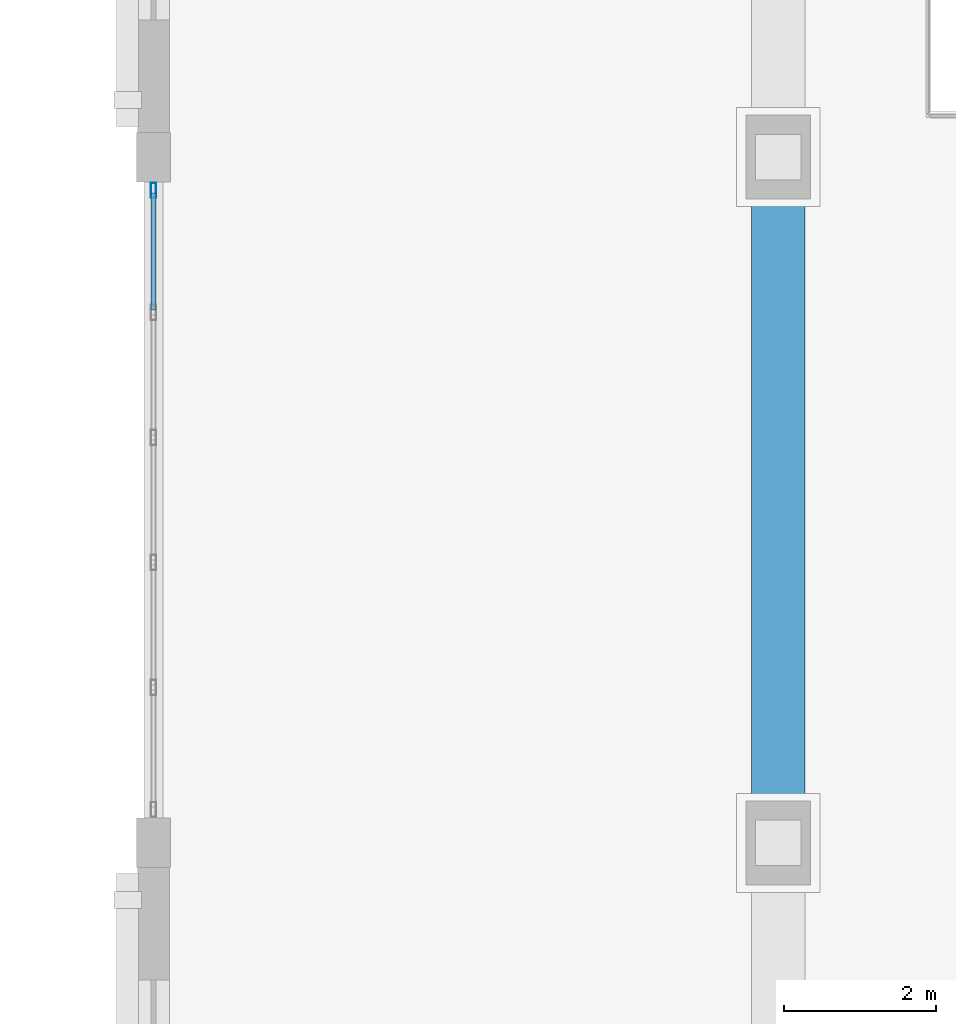
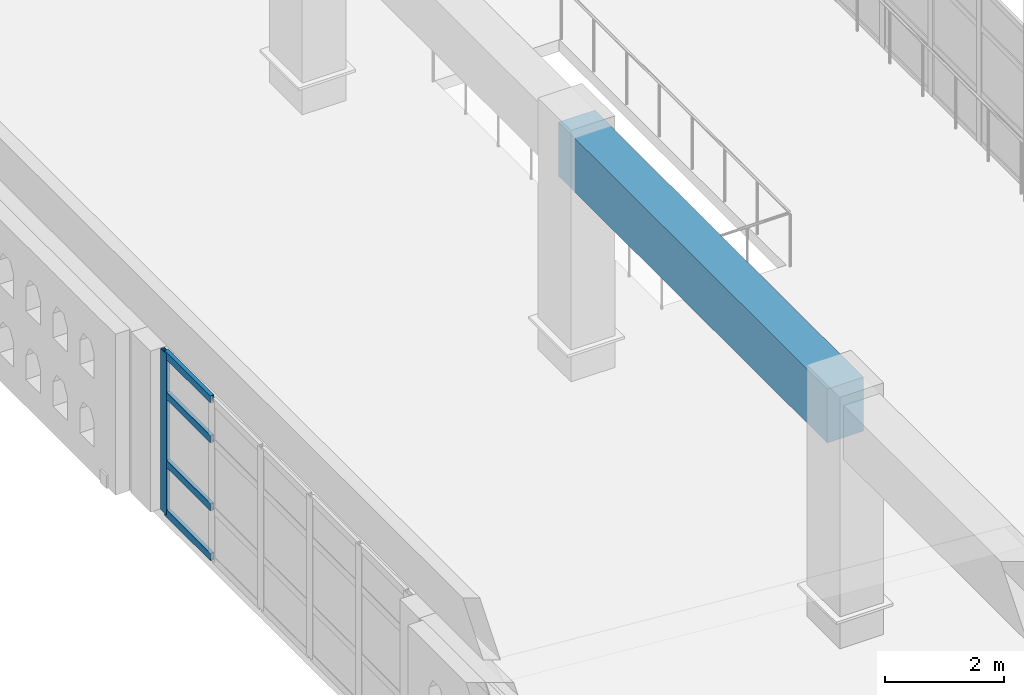
# One storey, part 6 of 80: 5 members, 1 beam, 1 element without a shape of its own.
"""IFC4 building model written with IfcOpenShell, lengths in metres."""

from ifc_helpers import new_model, si_unit, direction, frame, origin, origin_2d, place, context, subcontext, project, spatial, rectangle, hollow_rectangle, extrude, material, layer, layer_set, material_profile, profile_set, type_object, element, aggregate, save


model = new_model("IFC4")

# Units and contexts
model_context = context("Model", 3, precision=1e-05, world=origin(), true_north=direction((0.0, 1.0)))
body_context = subcontext(model_context, "Body", "Model", "MODEL_VIEW")
ifc_project = project(units=[si_unit("LENGTHUNIT", "METRE"), si_unit("AREAUNIT", "SQUARE_METRE"), si_unit("VOLUMEUNIT", "CUBIC_METRE"), si_unit("PLANEANGLEUNIT", "RADIAN"), si_unit("MASSUNIT", "GRAM", prefix="KILO")], contexts=[model_context])

# Site, building, storey
site_placement = place(None, origin())
site = spatial("IfcSite", under=ifc_project, at=site_placement, CompositionType="ELEMENT")
building_placement = place(site_placement, origin())
building = spatial("IfcBuilding", under=site, at=building_placement, Name="Ornek Quay Market", CompositionType="ELEMENT")
storey_placement = place(building_placement, frame((0.0, 0.0, 8.39990234375)))
storey = spatial("IfcBuildingStorey", under=building, at=storey_placement, Name="L02", CompositionType="ELEMENT", Elevation=8.39990234375)

# Beam
ifc_material_1 = material(Name="Concrete C45/55", Category="concrete")
ifc_material_profile_1 = material_profile(ifc_material_1, rectangle(XDim=0.699951171875, YDim=1.10009765625, at=origin_2d()), Name="RC 700x1100", Category="concrete")
ifc_profile_set_1 = profile_set([ifc_material_profile_1], Name="Concrete C45/55")
beam_type = type_object("IfcBeamType", Name="BM-ARCH-TIE-700x1100", PredefinedType="BEAM", material=ifc_profile_set_1)
beam_placement = place(storey_placement, frame((63.0, 56.0, 4.400146484375), z_axis=(0.0, 1.0, 0.0), x_axis=(-1.0, 0.0, 0.0)))
element("IfcBeam", 1, at=beam_placement, inside=storey, type_object=beam_type, Name="Arch springing edge tie beam G-W", PredefinedType="BEAM", context=body_context, shape_type="SweptSolid", body=[
    extrude(rectangle(XDim=0.699951171875, YDim=1.10009765625, at=origin_2d()), origin(), (0.0, 0.0, 1.0), 9.0),
])

# Curtain wall, members
ifc_material_2 = material(Name="Anodised bronze aluminium and triple low-e glass", Category="aluminium")
ifc_layer = layer(ifc_material_2, 0.239990234375, Name="Anodised bronze aluminium and triple low-e glass", Category="aluminium")
ifc_layer_set = layer_set([ifc_layer], Name="Anodised bronze aluminium and triple low-e glass")
curtain_wall_type = type_object("IfcCurtainWallType", Name="CW-GAB-MOD1800", PredefinedType="USERDEFINED", material=ifc_layer_set)
curtain_wall_placement = place(storey_placement, origin())
curtain_wall = element("IfcCurtainWall", 2, at=curtain_wall_placement, inside=storey, type_object=curtain_wall_type, Name="Curtain wall CW-058", ObjectType="CURTAIN WALL", PredefinedType="USERDEFINED")
ifc_material_3 = material(Name="Anodised aluminium 6063-T6", Category="aluminium")
ifc_material_profile_2 = material_profile(ifc_material_3, hollow_rectangle(XDim=0.070068359375, YDim=0.199951171875, WallThickness=0.0048828125, at=origin_2d()), Name="CW-MUL-70x200", Category="aluminium")
ifc_profile_set_2 = profile_set([ifc_material_profile_2], Name="Anodised aluminium 6063-T6")
member_type_1 = type_object("IfcMemberType", Name="CW-MUL-70x200", PredefinedType="MULLION", material=ifc_profile_set_2)
member_1_placement = place(storey_placement, frame((54.800048828125, 64.56494140625, 0.0), z_axis=(0.0, 0.0, 1.0), x_axis=(-1.0, 0.0, 0.0)))
member_1 = element("IfcMember", 3, at=member_1_placement, type_object=member_type_1, Name="CW-058 mullion 6", PredefinedType="MULLION", context=body_context, shape_type="SweptSolid", body=[
    extrude(hollow_rectangle(XDim=0.070068359375, YDim=0.199951171875, WallThickness=0.0048828125, at=origin_2d()), origin(), (0.0, 0.0, 1.0), 3.2900390625),
])
ifc_material_profile_3 = material_profile(ifc_material_3, hollow_rectangle(XDim=0.070068359375, YDim=0.14990234375, WallThickness=0.0048828125, at=origin_2d()), Name="CW-TRN-70x150", Category="aluminium")
ifc_profile_set_3 = profile_set([ifc_material_profile_3], Name="Anodised aluminium 6063-T6")
member_type_2 = type_object("IfcMemberType", Name="CW-TRN-70x150", PredefinedType="USERDEFINED", material=ifc_profile_set_3)
member_2_placement = place(storey_placement, frame((54.800048828125, 62.9951171875, 0.03515625), z_axis=(0.0, 1.0, 0.0), x_axis=(-1.0, 0.0, 0.0)))
member_2 = element("IfcMember", 4, at=member_2_placement, type_object=member_type_2, Name="CW-058 transom 5.1", ObjectType="TRANSOM", PredefinedType="USERDEFINED", context=body_context, shape_type="SweptSolid", body=[
    extrude(hollow_rectangle(XDim=0.070068359375, YDim=0.14990234375, WallThickness=0.0048828125, at=origin_2d()), origin(), (0.0, 0.0, 1.0), 1.534912109375),
])
member_3_placement = place(storey_placement, frame((54.800048828125, 62.9951171875, 1.050048828125), z_axis=(0.0, 1.0, 0.0), x_axis=(-1.0, 0.0, 0.0)))
member_3 = element("IfcMember", 5, at=member_3_placement, type_object=member_type_2, Name="CW-058 transom 5.2", ObjectType="TRANSOM", PredefinedType="USERDEFINED", context=body_context, shape_type="SweptSolid", body=[
    extrude(hollow_rectangle(XDim=0.070068359375, YDim=0.14990234375, WallThickness=0.0048828125, at=origin_2d()), origin(), (0.0, 0.0, 1.0), 1.534912109375),
])
member_4_placement = place(storey_placement, frame((54.800048828125, 62.9951171875, 2.440185546875), z_axis=(0.0, 1.0, 0.0), x_axis=(-1.0, 0.0, 0.0)))
member_4 = element("IfcMember", 6, at=member_4_placement, type_object=member_type_2, Name="CW-058 transom 5.3", ObjectType="TRANSOM", PredefinedType="USERDEFINED", context=body_context, shape_type="SweptSolid", body=[
    extrude(hollow_rectangle(XDim=0.070068359375, YDim=0.14990234375, WallThickness=0.0048828125, at=origin_2d()), origin(), (0.0, 0.0, 1.0), 1.534912109375),
])
member_5_placement = place(storey_placement, frame((54.800048828125, 62.9951171875, 3.255126953125), z_axis=(0.0, 1.0, 0.0), x_axis=(-1.0, 0.0, 0.0)))
member_5 = element("IfcMember", 7, at=member_5_placement, type_object=member_type_2, Name="CW-058 transom 5.4", ObjectType="TRANSOM", PredefinedType="USERDEFINED", context=body_context, shape_type="SweptSolid", body=[
    extrude(hollow_rectangle(XDim=0.070068359375, YDim=0.14990234375, WallThickness=0.0048828125, at=origin_2d()), origin(), (0.0, 0.0, 1.0), 1.534912109375),
])
aggregate(curtain_wall, [member_1, member_2, member_3, member_4, member_5])

save(model, "model.ifc")
